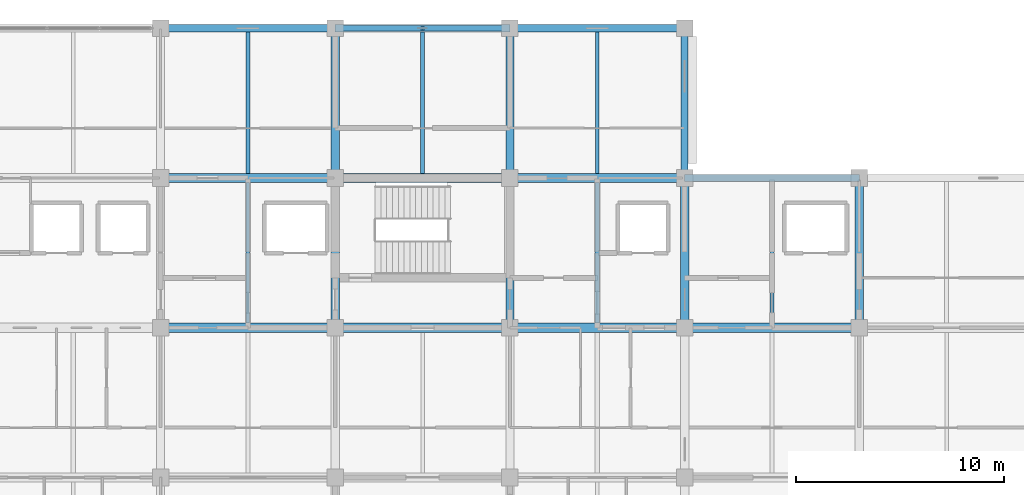
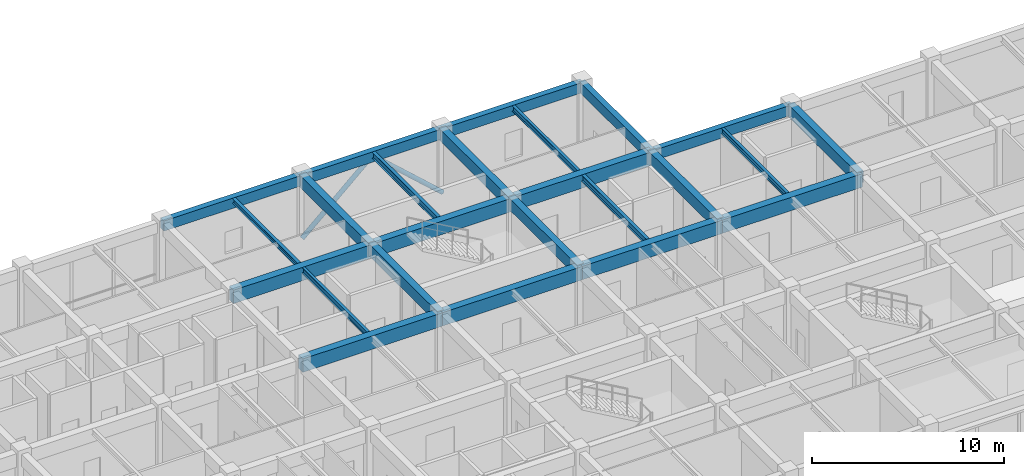
# One storey, part 12 of 40: 24 beams, 2 members.
"""IFC4 building model written with IfcOpenShell, lengths in metres."""

from ifc_helpers import new_model, si_unit, direction, frame, origin, origin_2d, place, context, subcontext, project, spatial, rectangle, hollow_circle, i_section, extrude, material, material_profile, profile_set, type_object, element, save


model = new_model("IFC4")

# Units and contexts
model_context = context("Model", 3, precision=1e-05, world=origin(), true_north=direction((0.0, 1.0)))
body_context = subcontext(model_context, "Body", "Model", "MODEL_VIEW")
ifc_project = project(units=[si_unit("LENGTHUNIT", "METRE"), si_unit("AREAUNIT", "SQUARE_METRE"), si_unit("VOLUMEUNIT", "CUBIC_METRE"), si_unit("PLANEANGLEUNIT", "RADIAN"), si_unit("MASSUNIT", "GRAM", prefix="KILO")], contexts=[model_context])

# Site, building, storey
site_placement = place(None, origin())
site = spatial("IfcSite", under=ifc_project, at=site_placement, CompositionType="ELEMENT")
building_placement = place(site_placement, origin())
building = spatial("IfcBuilding", under=site, at=building_placement, Name="Chengyuan Square Courthouse", CompositionType="ELEMENT")
storey_placement = place(building_placement, frame((0.0, 0.0, 21.60009765625)))
storey = spatial("IfcBuildingStorey", under=building, at=storey_placement, Name="L05", CompositionType="ELEMENT", Elevation=21.60009765625)

# Beams
ifc_material_1 = material(Name="Concrete C40", Category="concrete")
ifc_material_profile_1 = material_profile(ifc_material_1, rectangle(XDim=0.449951171875, YDim=0.85009765625, at=origin_2d()), Name="RC-BM-450x850")
ifc_profile_set_1 = profile_set([ifc_material_profile_1], Name="Concrete C40")
beam_type_1 = type_object("IfcBeamType", Name="BM-01", PredefinedType="USERDEFINED", material=ifc_profile_set_1)
beam_1_placement = place(storey_placement, frame((92.39990234375, 100.800048828125, 3.81494140625), z_axis=(1.0, 0.0, 0.0), x_axis=(0.0, 1.0, 0.0)))
element("IfcBeam", 1, at=beam_1_placement, inside=storey, type_object=beam_type_1, Name="Girder BM-L05-3241", ObjectType="GIRDER", PredefinedType="USERDEFINED", context=body_context, shape_type="SweptSolid", body=[
    extrude(rectangle(XDim=0.449951171875, YDim=0.85009765625, at=origin_2d()), origin(), (0.0, 0.0, 1.0), 8.400146484375),
])
beam_2_placement = place(storey_placement, frame((100.800048828125, 100.800048828125, 3.81494140625), z_axis=(1.0, 0.0, 0.0), x_axis=(0.0, 1.0, 0.0)))
element("IfcBeam", 2, at=beam_2_placement, inside=storey, type_object=beam_type_1, Name="Girder BM-L05-3242", ObjectType="GIRDER", PredefinedType="USERDEFINED", context=body_context, shape_type="SweptSolid", body=[
    extrude(rectangle(XDim=0.449951171875, YDim=0.85009765625, at=origin_2d()), origin(), (0.0, 0.0, 1.0), 8.39990234375),
])
beam_3_placement = place(storey_placement, frame((109.199951171875, 100.800048828125, 3.81494140625), z_axis=(1.0, 0.0, 0.0), x_axis=(0.0, 1.0, 0.0)))
element("IfcBeam", 3, at=beam_3_placement, inside=storey, type_object=beam_type_1, Name="Girder BM-L05-3243", ObjectType="GIRDER", PredefinedType="USERDEFINED", context=body_context, shape_type="SweptSolid", body=[
    extrude(rectangle(XDim=0.449951171875, YDim=0.85009765625, at=origin_2d()), origin(), (0.0, 0.0, 1.0), 8.400146484375),
])
beam_4_placement = place(storey_placement, frame((117.60009765625, 100.800048828125, 3.81494140625), z_axis=(1.0, 0.0, 0.0), x_axis=(0.0, 1.0, 0.0)))
element("IfcBeam", 4, at=beam_4_placement, inside=storey, type_object=beam_type_1, Name="Girder BM-L05-3244", ObjectType="GIRDER", PredefinedType="USERDEFINED", context=body_context, shape_type="SweptSolid", body=[
    extrude(rectangle(XDim=0.449951171875, YDim=0.85009765625, at=origin_2d()), origin(), (0.0, 0.0, 1.0), 8.39990234375),
])
beam_5_placement = place(storey_placement, frame((92.39990234375, 108.0, 3.81494140625), z_axis=(1.0, 0.0, 0.0), x_axis=(0.0, 1.0, 0.0)))
element("IfcBeam", 5, at=beam_5_placement, inside=storey, type_object=beam_type_1, Name="Girder BM-L05-3255", ObjectType="GIRDER", PredefinedType="USERDEFINED", context=body_context, shape_type="SweptSolid", body=[
    extrude(rectangle(XDim=0.449951171875, YDim=0.85009765625, at=origin_2d()), origin(), (0.0, 0.0, 1.0), 8.400146484375),
])
beam_6_placement = place(storey_placement, frame((100.800048828125, 108.0, 3.81494140625), z_axis=(1.0, 0.0, 0.0), x_axis=(0.0, 1.0, 0.0)))
element("IfcBeam", 6, at=beam_6_placement, inside=storey, type_object=beam_type_1, Name="Girder BM-L05-3256", ObjectType="GIRDER", PredefinedType="USERDEFINED", context=body_context, shape_type="SweptSolid", body=[
    extrude(rectangle(XDim=0.449951171875, YDim=0.85009765625, at=origin_2d()), origin(), (0.0, 0.0, 1.0), 8.39990234375),
])
beam_7_placement = place(storey_placement, frame((109.199951171875, 108.0, 3.81494140625), z_axis=(1.0, 0.0, 0.0), x_axis=(0.0, 1.0, 0.0)))
element("IfcBeam", 7, at=beam_7_placement, inside=storey, type_object=beam_type_1, Name="Girder BM-L05-3257", ObjectType="GIRDER", PredefinedType="USERDEFINED", context=body_context, shape_type="SweptSolid", body=[
    extrude(rectangle(XDim=0.449951171875, YDim=0.85009765625, at=origin_2d()), origin(), (0.0, 0.0, 1.0), 8.400146484375),
])
ifc_material_profile_2 = material_profile(ifc_material_1, rectangle(XDim=0.39990234375, YDim=0.75, at=origin_2d()), Name="RC-BM-400x750")
ifc_profile_set_2 = profile_set([ifc_material_profile_2], Name="Concrete C40")
beam_type_2 = type_object("IfcBeamType", Name="BM-02", PredefinedType="USERDEFINED", material=ifc_profile_set_2)
for number, where, z_axis, x_axis, name in (
    (8, (100.800048828125, 100.800048828125, 3.864990234375), (0.0, 1.0, 0.0), (-1.0, 0.0, 0.0), "Girder BM-L05-3311"),
    (9, (100.800048828125, 108.0, 3.864990234375), (0.0, 1.0, 0.0), (-1.0, 0.0, 0.0), "Girder BM-L05-3312"),
    (10, (109.199951171875, 100.800048828125, 3.864990234375), (0.0, 1.0, 0.0), (-1.0, 0.0, 0.0), "Girder BM-L05-3316"),
    (11, (109.199951171875, 108.0, 3.864990234375), (0.0, 1.0, 0.0), (-1.0, 0.0, 0.0), "Girder BM-L05-3317"),
    (12, (117.60009765625, 100.800048828125, 3.864990234375), (0.0, 1.0, 0.0), (-1.0, 0.0, 0.0), "Girder BM-L05-3321"),
    (13, (126.0, 100.800048828125, 3.864990234375), (0.0, 1.0, 0.0), (-1.0, 0.0, 0.0), "Girder BM-L05-3326"),
):
    element("IfcBeam", number, at=place(storey_placement, frame(where, z_axis=z_axis, x_axis=x_axis)), inside=storey, type_object=beam_type_2, Name=name, ObjectType="GIRDER", PredefinedType="USERDEFINED", context=body_context, shape_type="SweptSolid", body=[
        extrude(rectangle(XDim=0.39990234375, YDim=0.75, at=origin_2d()), origin(), (0.0, 0.0, 1.0), 7.199951171875),
    ])
ifc_material_profile_3 = material_profile(ifc_material_1, rectangle(XDim=0.35009765625, YDim=0.64990234375, at=origin_2d()), Name="RC-BM-350x650")
ifc_profile_set_3 = profile_set([ifc_material_profile_3], Name="Concrete C40")
beam_type_3 = type_object("IfcBeamType", Name="BM-03", PredefinedType="SPANDREL", material=ifc_profile_set_3)
beam_8_placement = place(storey_placement, frame((117.60009765625, 108.0, 3.914794921875), z_axis=(1.0, 0.0, 0.0), x_axis=(0.0, 1.0, 0.0)))
element("IfcBeam", 14, at=beam_8_placement, inside=storey, type_object=beam_type_3, Name="Girder BM-L05-3258", PredefinedType="SPANDREL", context=body_context, shape_type="SweptSolid", body=[
    extrude(rectangle(XDim=0.35009765625, YDim=0.64990234375, at=origin_2d()), origin(), (0.0, 0.0, 1.0), 8.39990234375),
])
beam_9_placement = place(storey_placement, frame((92.39990234375, 115.199951171875, 3.914794921875), z_axis=(1.0, 0.0, 0.0), x_axis=(0.0, 1.0, 0.0)))
element("IfcBeam", 15, at=beam_9_placement, inside=storey, type_object=beam_type_3, Name="Girder BM-L05-3266", PredefinedType="SPANDREL", context=body_context, shape_type="SweptSolid", body=[
    extrude(rectangle(XDim=0.35009765625, YDim=0.64990234375, at=origin_2d()), origin(), (0.0, 0.0, 1.0), 8.400146484375),
])
beam_10_placement = place(storey_placement, frame((100.800048828125, 115.199951171875, 3.914794921875), z_axis=(1.0, 0.0, 0.0), x_axis=(0.0, 1.0, 0.0)))
element("IfcBeam", 16, at=beam_10_placement, inside=storey, type_object=beam_type_3, Name="Girder BM-L05-3267", PredefinedType="SPANDREL", context=body_context, shape_type="SweptSolid", body=[
    extrude(rectangle(XDim=0.35009765625, YDim=0.64990234375, at=origin_2d()), origin(), (0.0, 0.0, 1.0), 8.39990234375),
])
beam_11_placement = place(storey_placement, frame((109.199951171875, 115.199951171875, 3.914794921875), z_axis=(1.0, 0.0, 0.0), x_axis=(0.0, 1.0, 0.0)))
element("IfcBeam", 17, at=beam_11_placement, inside=storey, type_object=beam_type_3, Name="Girder BM-L05-3268", PredefinedType="SPANDREL", context=body_context, shape_type="SweptSolid", body=[
    extrude(rectangle(XDim=0.35009765625, YDim=0.64990234375, at=origin_2d()), origin(), (0.0, 0.0, 1.0), 8.400146484375),
])
beam_12_placement = place(storey_placement, frame((117.60009765625, 108.0, 3.914794921875), z_axis=(0.0, 1.0, 0.0), x_axis=(-1.0, 0.0, 0.0)))
element("IfcBeam", 18, at=beam_12_placement, inside=storey, type_object=beam_type_3, Name="Girder BM-L05-3322", PredefinedType="SPANDREL", context=body_context, shape_type="SweptSolid", body=[
    extrude(rectangle(XDim=0.35009765625, YDim=0.64990234375, at=origin_2d()), origin(), (0.0, 0.0, 1.0), 7.199951171875),
])
ifc_material_2 = material(Name="Steel Q355B", Category="steel")
ifc_material_profile_4 = material_profile(ifc_material_2, i_section(OverallWidth=0.199951171875, OverallDepth=0.39990234375, WebThickness=0.008056640625, FlangeThickness=0.012939453125, at=origin_2d()), Name="HN 400x200x8x13")
ifc_profile_set_4 = profile_set([ifc_material_profile_4], Name="Steel Q355B")
beam_type_4 = type_object("IfcBeamType", Name="BM-07", PredefinedType="BEAM", material=ifc_profile_set_4)
beam_13_placement = place(storey_placement, frame((105.0, 108.22509765625, 4.039794921875), z_axis=(0.0, 1.0, 0.0), x_axis=(-1.0, 0.0, 0.0)))
element("IfcBeam", 19, at=beam_13_placement, inside=storey, type_object=beam_type_4, Name="Secondary Floor Beam SBM-L05-3369", PredefinedType="BEAM", context=body_context, shape_type="SweptSolid", body=[
    extrude(i_section(OverallWidth=0.199951171875, OverallDepth=0.39990234375, WebThickness=0.008056640625, FlangeThickness=0.012939453125, at=origin_2d()), origin(), (0.0, 0.0, 1.0), 6.7998046875),
])
beam_14_placement = place(storey_placement, frame((113.39990234375, 101.02490234375, 4.039794921875), z_axis=(0.0, 1.0, 0.0), x_axis=(-1.0, 0.0, 0.0)))
element("IfcBeam", 20, at=beam_14_placement, inside=storey, type_object=beam_type_4, Name="Secondary Floor Beam SBM-L05-3373", PredefinedType="BEAM", context=body_context, shape_type="SweptSolid", body=[
    extrude(i_section(OverallWidth=0.199951171875, OverallDepth=0.39990234375, WebThickness=0.008056640625, FlangeThickness=0.012939453125, at=origin_2d()), origin(), (0.0, 0.0, 1.0), 6.75),
])
ifc_material_profile_5 = material_profile(ifc_material_2, i_section(OverallWidth=0.175048828125, OverallDepth=0.35009765625, WebThickness=0.007080078125, FlangeThickness=0.010986328125, at=origin_2d()), Name="HN 350x175x7x11")
ifc_profile_set_5 = profile_set([ifc_material_profile_5], Name="Steel Q355B")
beam_type_5 = type_object("IfcBeamType", Name="BM-08", PredefinedType="BEAM", material=ifc_profile_set_5)
beam_15_placement = place(storey_placement, frame((96.60009765625, 101.02490234375, 4.06494140625), z_axis=(0.0, 1.0, 0.0), x_axis=(-1.0, 0.0, 0.0)))
element("IfcBeam", 21, at=beam_15_placement, inside=storey, type_object=beam_type_5, Name="Secondary Floor Beam SBM-L05-3365", PredefinedType="BEAM", context=body_context, shape_type="SweptSolid", body=[
    extrude(i_section(OverallWidth=0.175048828125, OverallDepth=0.35009765625, WebThickness=0.007080078125, FlangeThickness=0.010986328125, at=origin_2d()), origin(), (0.0, 0.0, 1.0), 6.75),
])
beam_16_placement = place(storey_placement, frame((113.39990234375, 108.22509765625, 4.06494140625), z_axis=(0.0, 1.0, 0.0), x_axis=(-1.0, 0.0, 0.0)))
element("IfcBeam", 22, at=beam_16_placement, inside=storey, type_object=beam_type_5, Name="Secondary Floor Beam SBM-L05-3374", PredefinedType="BEAM", context=body_context, shape_type="SweptSolid", body=[
    extrude(i_section(OverallWidth=0.175048828125, OverallDepth=0.35009765625, WebThickness=0.007080078125, FlangeThickness=0.010986328125, at=origin_2d()), origin(), (0.0, 0.0, 1.0), 6.7998046875),
])
beam_17_placement = place(storey_placement, frame((121.800048828125, 101.02490234375, 4.06494140625), z_axis=(0.0, 1.0, 0.0), x_axis=(-1.0, 0.0, 0.0)))
element("IfcBeam", 23, at=beam_17_placement, inside=storey, type_object=beam_type_5, Name="Secondary Floor Beam SBM-L05-3377", PredefinedType="BEAM", context=body_context, shape_type="SweptSolid", body=[
    extrude(i_section(OverallWidth=0.175048828125, OverallDepth=0.35009765625, WebThickness=0.007080078125, FlangeThickness=0.010986328125, at=origin_2d()), origin(), (0.0, 0.0, 1.0), 6.800048828125),
])
ifc_material_profile_6 = material_profile(ifc_material_2, i_section(OverallWidth=0.199951171875, OverallDepth=0.300048828125, WebThickness=0.008056640625, FlangeThickness=0.011962890625, at=origin_2d()), Name="HM 300x200x8x12")
ifc_profile_set_6 = profile_set([ifc_material_profile_6], Name="Steel Q355B")
beam_type_6 = type_object("IfcBeamType", Name="BM-09", PredefinedType="BEAM", material=ifc_profile_set_6)
beam_18_placement = place(storey_placement, frame((96.60009765625, 108.22509765625, 4.08984375), z_axis=(0.0, 1.0, 0.0), x_axis=(-1.0, 0.0, 0.0)))
element("IfcBeam", 24, at=beam_18_placement, inside=storey, type_object=beam_type_6, Name="Secondary Floor Beam SBM-L05-3366", PredefinedType="BEAM", context=body_context, shape_type="SweptSolid", body=[
    extrude(i_section(OverallWidth=0.199951171875, OverallDepth=0.300048828125, WebThickness=0.008056640625, FlangeThickness=0.011962890625, at=origin_2d()), origin(), (0.0, 0.0, 1.0), 6.7998046875),
])

# Members
ifc_material_profile_7 = material_profile(ifc_material_2, hollow_circle(Radius=0.136474609375, WallThickness=0.010009765625, at=origin_2d()), Name="CHS 273x10")
ifc_profile_set_7 = profile_set([ifc_material_profile_7], Name="Steel Q355B")
member_type = type_object("IfcMemberType", Name="BR-01", PredefinedType="BRACE", material=ifc_profile_set_7)
for number, where, z_axis, x_axis, name in (
    (25, (100.800048828125, 115.199951171875, 0.099853515625), (0.742407252639, 0.0, 0.669948857174), (0.0, 1.0, 0.0), "Steel Chevron Brace BR-L05-019"),
    (26, (109.199951171875, 115.199951171875, 0.099853515625), (-0.742407252639, 0.0, 0.669948857174), (0.0, -1.0, 0.0), "Steel Chevron Brace BR-L05-020"),
):
    element("IfcMember", number, at=place(storey_placement, frame(where, z_axis=z_axis, x_axis=x_axis)), inside=storey, type_object=member_type, Name=name, PredefinedType="BRACE", context=body_context, shape_type="SweptSolid", body=[
        extrude(hollow_circle(Radius=0.136474609375, WallThickness=0.010009765625, at=origin_2d()), origin(), (0.0, 0.0, 1.0), 5.6572265625),
    ])

save(model, "model.ifc")
